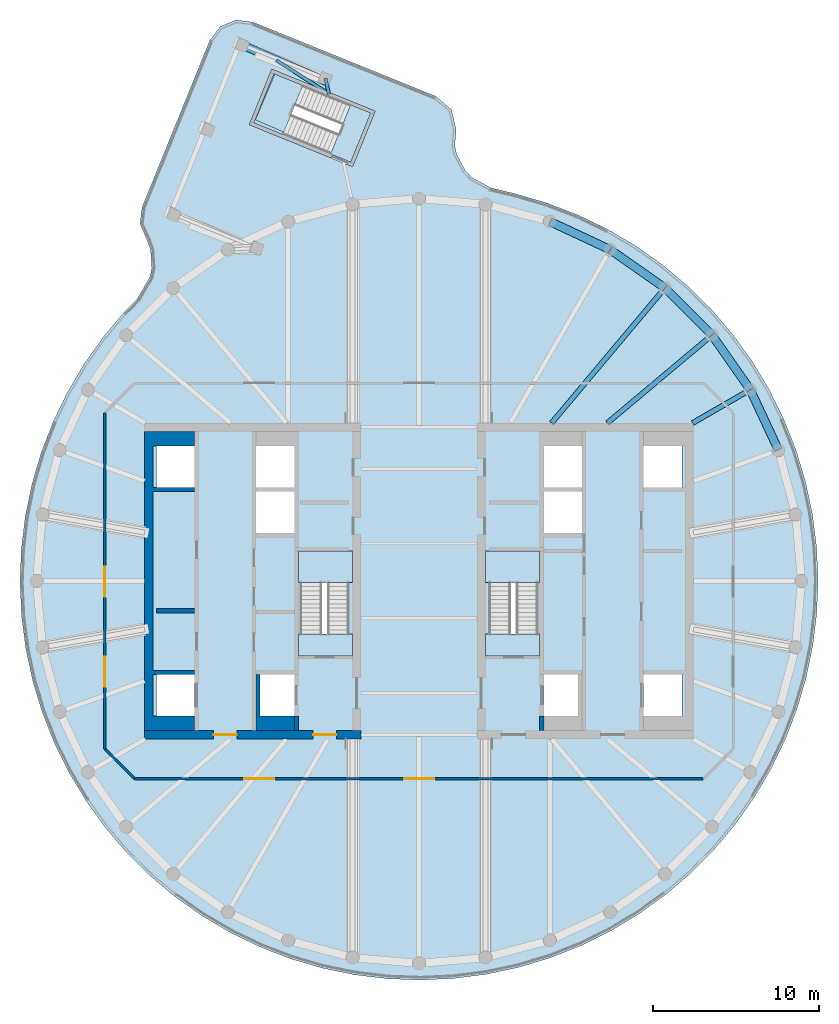
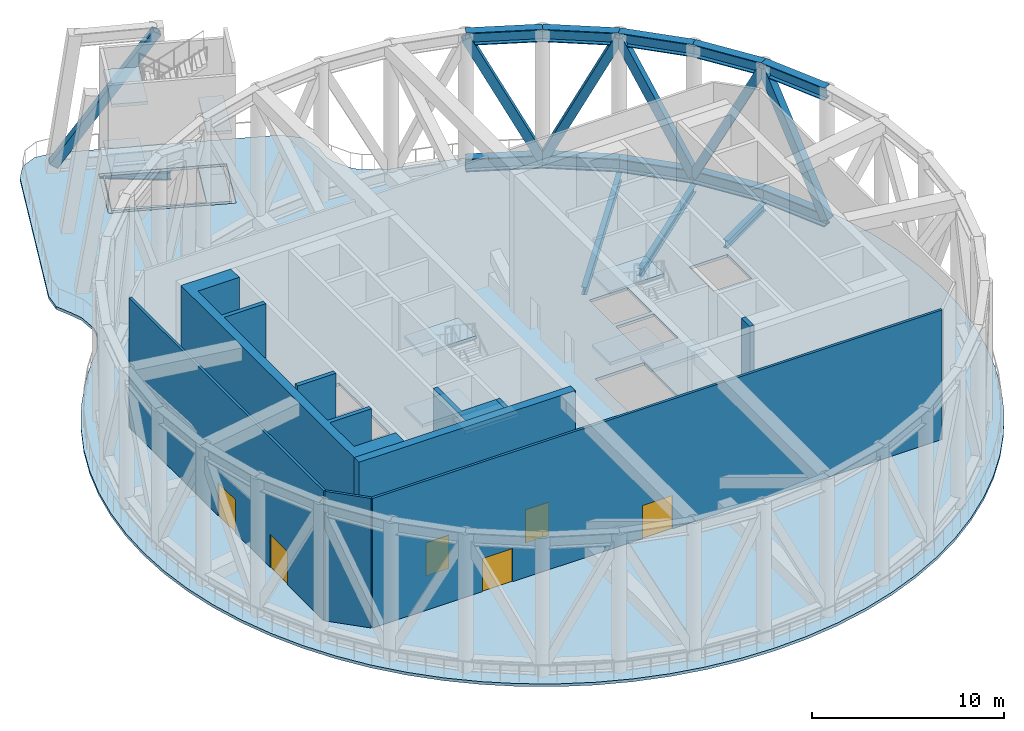
# One storey, part 3 of 10: 16 members, 11 slabs, 9 walls, 6 doors, 5 beams, 6 openings, 3 elements without a shape of their own.
"""IFC4 building model written with IfcOpenShell, lengths in metres."""

from ifc_helpers import new_model, si_unit, direction, frame, frame_2d, origin, origin_2d, place, context, subcontext, project, spatial, polyline, rectangle, hollow_rectangle, i_section, outline, extrude, material, layer, layer_set, material_profile, profile_set, type_object, element, fill, aggregate, save


model = new_model("IFC4")

# Units and contexts
model_context = context("Model", 3, precision=1e-05, world=origin(), true_north=direction((0.0, 1.0)))
body_context = subcontext(model_context, "Body", "Model", "MODEL_VIEW")
ifc_project = project(units=[si_unit("LENGTHUNIT", "METRE"), si_unit("AREAUNIT", "SQUARE_METRE"), si_unit("VOLUMEUNIT", "CUBIC_METRE"), si_unit("PLANEANGLEUNIT", "RADIAN"), si_unit("MASSUNIT", "GRAM", prefix="KILO")], contexts=[model_context])

# Site, building, storey
site_placement = place(None, origin())
site = spatial("IfcSite", under=ifc_project, at=site_placement, CompositionType="ELEMENT")
building_placement = place(site_placement, origin())
building = spatial("IfcBuilding", under=site, at=building_placement, Name="Tamarind Cross Interchange Tower", CompositionType="ELEMENT")
storey_placement = place(building_placement, frame((0.0, 0.0, 278.39990234375)))
storey = spatial("IfcBuildingStorey", under=building, at=storey_placement, Name="L71", CompositionType="ELEMENT", Elevation=278.39990234375)

# Beams
ifc_material_1 = material(Name="Steel Q355B", Category="steel")
ifc_material_profile_1 = material_profile(ifc_material_1, i_section(OverallWidth=0.300048828125, OverallDepth=0.488037109375, WebThickness=0.010986328125, FlangeThickness=0.01806640625, FilletRadius=0.01806640625, at=origin_2d()), Name="HM 488x300x11x18")
ifc_profile_set_1 = profile_set([ifc_material_profile_1], Name="Steel Q355B")
beam_type_1 = type_object("IfcBeamType", Name="Composite beam HM 488x300x11x18 Q355B", PredefinedType="BEAM", material=ifc_profile_set_1)
beam_1_placement = place(storey_placement, frame((19.918701171875, 11.5, -0.423828125), z_axis=(-0.866026010844, -0.49999894854, 0.0), x_axis=(0.49999894854, -0.866026010844, 0.0)))
element("IfcBeam", 1, at=beam_1_placement, inside=storey, type_object=beam_type_1, Name="Beam HH03", PredefinedType="BEAM", context=body_context, shape_type="SweptSolid", body=[
    extrude(i_section(OverallWidth=0.300048828125, OverallDepth=0.488037109375, WebThickness=0.010986328125, FlangeThickness=0.01806640625, FilletRadius=0.01806640625, at=origin_2d()), origin(), (0.0, 0.0, 1.0), 4.0),
])
beam_2_placement = place(storey_placement, frame((17.619140625, 14.7841796875, -0.423828125), z_axis=(-0.766040580814, -0.642792212574, 0.0), x_axis=(0.642792212574, -0.766040580814, 0.0)))
element("IfcBeam", 2, at=beam_2_placement, inside=storey, type_object=beam_type_1, Name="Beam HH04", PredefinedType="BEAM", context=body_context, shape_type="SweptSolid", body=[
    extrude(i_section(OverallWidth=0.300048828125, OverallDepth=0.488037109375, WebThickness=0.010986328125, FlangeThickness=0.01806640625, FilletRadius=0.01806640625, at=origin_2d()), origin(), (0.0, 0.0, 1.0), 8.220703125),
])
beam_3_placement = place(storey_placement, frame((14.7841796875, 17.619140625, -0.423828125), z_axis=(-0.642786293979, -0.766045547127, 0.0), x_axis=(0.766045547127, -0.642786293979, 0.0)))
element("IfcBeam", 3, at=beam_3_placement, inside=storey, type_object=beam_type_1, Name="Beam HH05", PredefinedType="BEAM", context=body_context, shape_type="SweptSolid", body=[
    extrude(i_section(OverallWidth=0.300048828125, OverallDepth=0.488037109375, WebThickness=0.010986328125, FlangeThickness=0.01806640625, FilletRadius=0.01806640625, at=origin_2d()), origin(), (0.0, 0.0, 1.0), 10.598876953125),
])
ifc_material_profile_2 = material_profile(ifc_material_1, i_section(OverallWidth=0.198974609375, OverallDepth=0.49609375, WebThickness=0.009033203125, FlangeThickness=0.013916015625, FilletRadius=0.012939453125, at=origin_2d()), Name="HN 496x199x9x14")
ifc_profile_set_2 = profile_set([ifc_material_profile_2], Name="Steel Q355B")
beam_type_2 = type_object("IfcBeamType", Name="Composite beam HN 496x199x9x14 Q355B", PredefinedType="BEAM", material=ifc_profile_set_2)
beam_4_placement = place(storey_placement, frame((-5.62255859375, 30.21728515625, -0.427978515625), z_axis=(0.210459610113, -0.97760255345, 0.0), x_axis=(0.97760255345, 0.210459610113, 0.0)))
element("IfcBeam", 4, at=beam_4_placement, inside=storey, type_object=beam_type_2, Name="Beam N-linkemt0", PredefinedType="BEAM", context=body_context, shape_type="SweptSolid", body=[
    extrude(i_section(OverallWidth=0.198974609375, OverallDepth=0.49609375, WebThickness=0.009033203125, FlangeThickness=0.013916015625, FilletRadius=0.012939453125, at=origin_2d()), origin(), (0.0, 0.0, 1.0), 0.967529296875),
])
beam_5_placement = place(storey_placement, frame((-5.543212890625, 29.375732421875, -0.427978515625), z_axis=(-0.843401638937, 0.537283608012, 0.0), x_axis=(-0.537283608012, -0.843401638937, 0.0)))
element("IfcBeam", 5, at=beam_5_placement, inside=storey, type_object=beam_type_2, Name="Beam N-tr0s1", PredefinedType="BEAM", context=body_context, shape_type="SweptSolid", body=[
    extrude(i_section(OverallWidth=0.198974609375, OverallDepth=0.49609375, WebThickness=0.009033203125, FlangeThickness=0.013916015625, FilletRadius=0.012939453125, at=origin_2d()), origin(), (0.0, 0.0, 1.0), 3.599365234375),
])

# Members
ifc_material_2 = material(Name="Steel Q420B", Category="steel")
ifc_material_profile_3 = material_profile(ifc_material_2, i_section(OverallWidth=0.5, OverallDepth=0.800048828125, WebThickness=0.030029296875, FlangeThickness=0.050048828125, at=origin_2d()), Name="BH 800x500x30x50")
ifc_profile_set_3 = profile_set([ifc_material_profile_3], Name="Steel Q420B")
member_type_1 = type_object("IfcMemberType", Name="Truss chord BH 800x500x30x50 Q420B", PredefinedType="CHORD", material=ifc_profile_set_3)
for number, where, z_axis, x_axis, name in (
    (6, (21.613037109375, 7.866455078125, 8.400146484375), (-0.422615416827, 0.906309113636, 0.0), (-0.906309113636, -0.422615416827, 0.0), "Belt truss ring top H02"),
    (7, (21.613037109375, 7.866455078125, 0.400146484375), (-0.422615416827, 0.906309113636, 0.0), (-0.906309113636, -0.422615416827, 0.0), "Belt truss ring bottom H02"),
    (8, (19.918701171875, 11.5, 8.400146484375), (-0.573568599011, 0.819157531998, 0.0), (-0.819157531998, -0.573568599011, 0.0), "Belt truss ring top H03"),
    (9, (19.918701171875, 11.5, 0.400146484375), (-0.573568599011, 0.819157531998, 0.0), (-0.819157531998, -0.573568599011, 0.0), "Belt truss ring bottom H03"),
    (10, (17.619140625, 14.7841796875, 8.400146484375), (-0.707106781187, 0.707106781187, 0.0), (-0.707106781187, -0.707106781187, 0.0), "Belt truss ring top H04"),
    (11, (17.619140625, 14.7841796875, 0.400146484375), (-0.707106781187, 0.707106781187, 0.0), (-0.707106781187, -0.707106781187, 0.0), "Belt truss ring bottom H04"),
    (12, (14.7841796875, 17.619140625, 8.400146484375), (-0.819157531998, 0.573568599011, 0.0), (-0.573568599011, -0.819157531998, 0.0), "Belt truss ring top H05"),
    (13, (14.7841796875, 17.619140625, 0.400146484375), (-0.819157531998, 0.573568599011, 0.0), (-0.573568599011, -0.819157531998, 0.0), "Belt truss ring bottom H05"),
    (14, (11.5, 19.918701171875, 8.400146484375), (-0.906309113636, 0.422615416827, 0.0), (-0.422615416827, -0.906309113636, 0.0), "Belt truss ring top H06"),
    (15, (11.5, 19.918701171875, 0.400146484375), (-0.906309113636, 0.422615416827, 0.0), (-0.422615416827, -0.906309113636, 0.0), "Belt truss ring bottom H06"),
):
    element("IfcMember", number, at=place(storey_placement, frame(where, z_axis=z_axis, x_axis=x_axis)), inside=storey, type_object=member_type_1, Name=name, PredefinedType="CHORD", context=body_context, shape_type="SweptSolid", body=[
        extrude(i_section(OverallWidth=0.5, OverallDepth=0.800048828125, WebThickness=0.030029296875, FlangeThickness=0.050048828125, at=origin_2d()), origin(), (0.0, 0.0, 1.0), 4.00927734375),
    ])
ifc_material_profile_4 = material_profile(ifc_material_2, hollow_rectangle(XDim=0.5, YDim=0.5, WallThickness=0.030029296875, at=origin_2d()), Name="BOX 500x500x30")
ifc_profile_set_4 = profile_set([ifc_material_profile_4], Name="Steel Q420B")
member_type_2 = type_object("IfcMemberType", Name="Truss diagonal BOX 500x500x30 Q420B", PredefinedType="BRACE", material=ifc_profile_set_4)
for number, where, z_axis, x_axis, name in (
    (16, (21.613037109375, 7.866455078125, 0.400146484375), (-0.189345647079, 0.406056378311, 0.89401702644), (-0.906309113636, -0.422615416827, 0.0), "Belt truss ring diagonal H02"),
    (17, (19.918701171875, 11.5, 8.400146484375), (-0.25698015632, 0.367013171549, -0.894014838337), (-0.819157531998, -0.573568599011, 0.0), "Belt truss ring diagonal H03"),
    (18, (17.619140625, 14.7841796875, 0.400146484375), (-0.316811762996, 0.316811762996, 0.89401376592), (-0.707106781187, -0.707106781187, 0.0), "Belt truss ring diagonal H04"),
    (19, (14.7841796875, 17.619140625, 8.400146484375), (-0.367013171549, 0.25698015632, -0.894014838337), (-0.573568599011, -0.819157531998, 0.0), "Belt truss ring diagonal H05"),
    (20, (11.5, 19.918701171875, 0.400146484375), (-0.406056378311, 0.189345647079, 0.89401702644), (-0.422615416827, -0.906309113636, 0.0), "Belt truss ring diagonal H06"),
):
    element("IfcMember", number, at=place(storey_placement, frame(where, z_axis=z_axis, x_axis=x_axis)), inside=storey, type_object=member_type_2, Name=name, PredefinedType="BRACE", context=body_context, shape_type="SweptSolid", body=[
        extrude(hollow_rectangle(XDim=0.5, YDim=0.5, WallThickness=0.030029296875, at=origin_2d()), origin(), (0.0, 0.0, 1.0), 8.948486328125),
    ])
member_placement = place(storey_placement, frame((-10.723876953125, 32.271484375, 0.400146484375), z_axis=(0.513592678278, -0.223015331942, 0.82854494298), x_axis=(0.398296740223, 0.917256619888, 0.0)))
element("IfcMember", 21, at=member_placement, inside=storey, type_object=member_type_2, Name="Belt truss arm Nem diagonal", PredefinedType="BRACE", context=body_context, shape_type="SweptSolid", body=[
    extrude(hollow_rectangle(XDim=0.5, YDim=0.5, WallThickness=0.030029296875, at=origin_2d()), origin(), (0.0, 0.0, 1.0), 9.655517578125),
])

# Slabs
ifc_material_3 = material(Name="Concrete C40", Category="concrete")
ifc_layer_1 = layer(ifc_material_3, 0.179931640625)
ifc_layer_set_1 = layer_set([ifc_layer_1], Name="Concrete C40")
slab_type_1 = type_object("IfcSlabType", Name="Composite slab 180 Concrete C40", PredefinedType="FLOOR", material=ifc_layer_set_1)
slab_1_placement = place(storey_placement, frame((0.0, 0.0, -0.179931640625)))
element("IfcSlab", 22, at=slab_1_placement, inside=storey, type_object=slab_type_1, Name="Floor slab L71", PredefinedType="FLOOR", context=body_context, shape_type="SweptSolid", body=[
    extrude(outline(polyline([(1.95458984375, 28.334716796875), (0.997314453125, 29.14990234375), (-9.981201171875, 33.60498046875), (-11.00830078125, 33.732666015625), (-11.9619140625, 33.32958984375), (-12.586181640625, 32.503662109375), (-16.653564453125, 22.481201171875), (-16.784423828125, 21.476806640625), (-16.337158203125, 20.444091796875), (-16.146484375, 19.927734375), (-16.06982421875, 18.818115234375), (-16.1875, 18.280517578125), (-16.9599609375, 16.9521484375), (-17.72412109375, 16.17578125), (-18.99951171875, 14.656982421875), (-20.14501953125, 13.0380859375), (-21.15283203125, 11.329833984375), (-22.01611328125, 9.54443359375), (-22.72900390625, 7.693603515625), (-23.286865234375, 5.79052734375), (-23.685546875, 3.84765625), (-23.92236328125, 1.878662109375), (-23.99560546875, -0.103271484375), (-23.9052734375, -2.08447265625), (-23.651611328125, -4.051513671875), (-23.236083984375, -5.99072265625), (-22.662109375, -7.88916015625), (-21.93310546875, -9.7333984375), (-21.054443359375, -11.511474609375), (-20.031982421875, -13.2109375), (-18.87255859375, -14.820068359375), (-17.584228515625, -16.327880859375), (-16.17578125, -17.72412109375), (-14.656982421875, -18.99951171875), (-13.0380859375, -20.14501953125), (-11.329833984375, -21.15283203125), (-9.54443359375, -22.01611328125), (-7.693603515625, -22.72900390625), (-5.79052734375, -23.286865234375), (-3.84765625, -23.685546875), (-1.878662109375, -23.92236328125), (0.103271484375, -23.99560546875), (2.08447265625, -23.9052734375), (4.051513671875, -23.651611328125), (5.99072265625, -23.236083984375), (7.88916015625, -22.662109375), (9.7333984375, -21.93310546875), (11.511474609375, -21.054443359375), (13.2109375, -20.031982421875), (14.820068359375, -18.87255859375), (16.327880859375, -17.584228515625), (17.72412109375, -16.17578125), (18.99951171875, -14.656982421875), (20.14501953125, -13.0380859375), (21.15283203125, -11.329833984375), (22.01611328125, -9.54443359375), (22.72900390625, -7.693603515625), (23.286865234375, -5.79052734375), (23.685546875, -3.84765625), (23.92236328125, -1.878662109375), (23.99560546875, 0.103271484375), (23.9052734375, 2.08447265625), (23.651611328125, 4.051513671875), (23.236083984375, 5.99072265625), (22.662109375, 7.88916015625), (21.93310546875, 9.7333984375), (21.054443359375, 11.511474609375), (20.031982421875, 13.2109375), (18.87255859375, 14.820068359375), (17.584228515625, 16.327880859375), (16.17578125, 17.72412109375), (14.656982421875, 18.99951171875), (13.0380859375, 20.14501953125), (11.329833984375, 21.15283203125), (9.54443359375, 22.01611328125), (7.693603515625, 22.72900390625), (5.79052734375, 23.286865234375), (4.321533203125, 23.6376953125), (3.192626953125, 24.251953125), (2.796630859375, 24.651611328125), (2.261962890625, 25.655517578125), (2.1513671875, 26.207275390625), (2.236328125, 27.10888671875), (1.95458984375, 28.334716796875)]), holes=[polyline([(-13.5, -5.625), (-13.5, -8.125), (-15.800048828125, -8.125), (-15.800048828125, -5.625), (-13.5, -5.625)]), polyline([(-7.5, -5.625), (-7.5, -8.125), (-9.800048828125, -8.125), (-9.800048828125, -5.625), (-7.5, -5.625)]), polyline([(-7.5, 5.375), (-7.5, 2.875), (-9.800048828125, 2.875), (-9.800048828125, 5.375), (-7.5, 5.375)]), polyline([(-13.5, 8.125), (-13.5, 5.625), (-15.800048828125, 5.625), (-15.800048828125, 8.125), (-13.5, 8.125)]), polyline([(-7.5, 8.125), (-7.5, 5.625), (-9.800048828125, 5.625), (-9.800048828125, 8.125), (-7.5, 8.125)]), polyline([(-3.99658203125, 24.9169921875), (-10.20458984375, 27.436279296875), (-10.12939453125, 27.62158203125), (-8.92626953125, 30.586669921875), (-8.85107421875, 30.772216796875), (-8.586181640625, 30.66455078125), (-8.584228515625, 30.66943359375), (-8.31787109375, 30.5556640625), (-2.642822265625, 28.252685546875), (-2.718017578125, 28.0673828125), (-3.92138671875, 25.102294921875), (-3.99658203125, 24.9169921875)]), polyline([(7.5, -8.125), (7.5, -5.625), (9.800048828125, -5.625), (9.800048828125, -8.125), (7.5, -8.125)]), polyline([(13.5, -8.125), (13.5, -5.625), (15.800048828125, -5.625), (15.800048828125, -8.125), (13.5, -8.125)]), polyline([(-7.14990234375, 1.800048828125), (-4.199951171875, 1.800048828125), (-4.199951171875, -3.18798828125), (-7.14990234375, -3.18798828125), (-7.14990234375, 1.800048828125)]), polyline([(4.199951171875, 1.800048828125), (7.14990234375, 1.800048828125), (7.14990234375, -3.18798828125), (4.199951171875, -3.18798828125), (4.199951171875, 1.800048828125)]), polyline([(7.5, 2.875), (7.5, 5.375), (9.800048828125, 5.375), (9.800048828125, 2.875), (7.5, 2.875)]), polyline([(7.5, 5.625), (7.5, 8.125), (9.800048828125, 8.125), (9.800048828125, 5.625), (7.5, 5.625)]), polyline([(13.5, 8.125), (15.800048828125, 8.125), (15.800048828125, 5.625), (13.5, 5.625), (13.5, 8.125)])]), origin(), (0.0, 0.0, 1.0), 0.179931640625),
])
slab_2_placement = place(storey_placement, frame((0.0, 0.0, -0.179931640625)))
element("IfcSlab", 23, at=slab_2_placement, inside=storey, type_object=slab_type_1, Name="Floor slab L71", PredefinedType="FLOOR", context=body_context, shape_type="SweptSolid", body=[
    extrude(outline(polyline([(-8.740966796875, 30.511474609375), (-9.944091796875, 27.54638671875), (-4.106689453125, 25.177490234375), (-2.9033203125, 28.142578125), (-4.118896484375, 28.635986328125), (-5.27880859375, 25.777587890625), (-9.84130859375, 27.726806640625), (-8.664794921875, 30.480712890625), (-8.740966796875, 30.511474609375)])), origin(), (0.0, 0.0, 1.0), 0.179931640625),
])

# Stair, slabs
ifc_material_4 = material(Name="Exit stair")
stair_type = type_object("IfcStairType", Name="Exit stair", PredefinedType="HALF_TURN_STAIR", material=ifc_material_4)
stair_1_placement = place(storey_placement, origin())
stair_1 = element("IfcStair", 24, at=stair_1_placement, inside=storey, type_object=stair_type, Name="L71 exit stair ST1", PredefinedType="HALF_TURN_STAIR")
ifc_layer_2 = layer(ifc_material_3, 0.199951171875)
ifc_layer_set_2 = layer_set([ifc_layer_2], Name="Concrete C40")
slab_type_2 = type_object("IfcSlabType", Name="Stair landing", PredefinedType="LANDING", material=ifc_layer_set_2)
slab_3_placement = place(storey_placement, frame((0.0, 0.0, 2.050048828125)))
slab_3 = element("IfcSlab", 25, at=slab_3_placement, type_object=slab_type_2, Name="ST1 landing 1", PredefinedType="LANDING", context=body_context, shape_type="SweptSolid", body=[
    extrude(outline(polyline([(-4.0, -0.080078125), (-4.0, 1.800048828125), (-7.25, 1.800048828125), (-7.25, -0.080078125), (-4.0, -0.080078125)])), origin(), (0.0, 0.0, 1.0), 0.199951171875),
])
slab_4_placement = place(storey_placement, frame((0.0, 0.0, 4.300048828125)))
slab_4 = element("IfcSlab", 26, at=slab_4_placement, type_object=slab_type_2, Name="ST1 landing 2", PredefinedType="LANDING", context=body_context, shape_type="SweptSolid", body=[
    extrude(outline(polyline([(-4.0, -4.5), (-4.0, -3.199951171875), (-7.25, -3.199951171875), (-7.25, -4.5), (-4.0, -4.5)])), origin(), (0.0, 0.0, 1.0), 0.199951171875),
])
slab_5_placement = place(storey_placement, frame((0.0, 0.0, 6.550048828125)))
slab_5 = element("IfcSlab", 27, at=slab_5_placement, type_object=slab_type_2, Name="ST1 landing 3", PredefinedType="LANDING", context=body_context, shape_type="SweptSolid", body=[
    extrude(outline(polyline([(-4.0, -0.080078125), (-4.0, 1.800048828125), (-7.25, 1.800048828125), (-7.25, -0.080078125), (-4.0, -0.080078125)])), origin(), (0.0, 0.0, 1.0), 0.199951171875),
])
aggregate(stair_1, [slab_3, slab_4, slab_5])

stair_2_placement = place(storey_placement, origin())
stair_2 = element("IfcStair", 28, at=stair_2_placement, inside=storey, type_object=stair_type, Name="L71 exit stair ST2", PredefinedType="HALF_TURN_STAIR")
slab_6_placement = place(storey_placement, frame((0.0, 0.0, 2.050048828125)))
slab_6 = element("IfcSlab", 29, at=slab_6_placement, type_object=slab_type_2, Name="ST2 landing 1", PredefinedType="LANDING", context=body_context, shape_type="SweptSolid", body=[
    extrude(outline(polyline([(7.25, -0.080078125), (7.25, 1.800048828125), (4.0, 1.800048828125), (4.0, -0.080078125), (7.25, -0.080078125)])), origin(), (0.0, 0.0, 1.0), 0.199951171875),
])
slab_7_placement = place(storey_placement, frame((0.0, 0.0, 4.300048828125)))
slab_7 = element("IfcSlab", 30, at=slab_7_placement, type_object=slab_type_2, Name="ST2 landing 2", PredefinedType="LANDING", context=body_context, shape_type="SweptSolid", body=[
    extrude(outline(polyline([(7.25, -4.5), (7.25, -3.199951171875), (4.0, -3.199951171875), (4.0, -4.5), (7.25, -4.5)])), origin(), (0.0, 0.0, 1.0), 0.199951171875),
])
slab_8_placement = place(storey_placement, frame((0.0, 0.0, 6.550048828125)))
slab_8 = element("IfcSlab", 31, at=slab_8_placement, type_object=slab_type_2, Name="ST2 landing 3", PredefinedType="LANDING", context=body_context, shape_type="SweptSolid", body=[
    extrude(outline(polyline([(7.25, -0.080078125), (7.25, 1.800048828125), (4.0, 1.800048828125), (4.0, -0.080078125), (7.25, -0.080078125)])), origin(), (0.0, 0.0, 1.0), 0.199951171875),
])
aggregate(stair_2, [slab_6, slab_7, slab_8])

stair_3_placement = place(storey_placement, origin())
stair_3 = element("IfcStair", 32, at=stair_3_placement, inside=storey, type_object=stair_type, Name="L71 exit stair ST4", PredefinedType="HALF_TURN_STAIR")
slab_9_placement = place(storey_placement, frame((0.0, 0.0, 2.050048828125)))
slab_9 = element("IfcSlab", 33, at=slab_9_placement, type_object=slab_type_2, Name="ST4 landing 1", PredefinedType="LANDING", context=body_context, shape_type="SweptSolid", body=[
    extrude(outline(polyline([(-6.98779296875, 29.800048828125), (-8.740966796875, 30.511474609375), (-9.9443359375, 27.54638671875), (-8.191162109375, 26.8349609375), (-6.98779296875, 29.800048828125)])), origin(), (0.0, 0.0, 1.0), 0.199951171875),
])
slab_10_placement = place(storey_placement, frame((0.0, 0.0, 4.300048828125)))
slab_10 = element("IfcSlab", 34, at=slab_10_placement, type_object=slab_type_2, Name="ST4 landing 2", PredefinedType="LANDING", context=body_context, shape_type="SweptSolid", body=[
    extrude(outline(polyline([(-2.9033203125, 28.142578125), (-4.118896484375, 28.635986328125), (-5.322265625, 25.670654296875), (-4.106689453125, 25.177490234375), (-2.9033203125, 28.142578125)])), origin(), (0.0, 0.0, 1.0), 0.199951171875),
])
slab_11_placement = place(storey_placement, frame((0.0, 0.0, 6.550048828125)))
slab_11 = element("IfcSlab", 35, at=slab_11_placement, type_object=slab_type_2, Name="ST4 landing 3", PredefinedType="LANDING", context=body_context, shape_type="SweptSolid", body=[
    extrude(outline(polyline([(-6.98779296875, 29.800048828125), (-8.740966796875, 30.511474609375), (-9.9443359375, 27.54638671875), (-8.191162109375, 26.8349609375), (-6.98779296875, 29.800048828125)])), origin(), (0.0, 0.0, 1.0), 0.199951171875),
])
aggregate(stair_3, [slab_9, slab_10, slab_11])

# Wall, openings, doors
ifc_material_5 = material(Name="Concrete C50", Category="concrete")
ifc_layer_3 = layer(ifc_material_5, 0.5)
ifc_layer_set_3 = layer_set([ifc_layer_3], Name="Concrete C50")
wall_type_1 = type_object("IfcWallType", Name="Core wall 500 mm Concrete C50", PredefinedType="SHEAR", material=ifc_layer_set_3)
wall_1_placement = place(storey_placement, frame((-16.5, -9.25, 0.0), z_axis=(0.0, 0.0, 1.0), x_axis=(1.0, 0.0, 0.0)))
wall_1 = element("IfcWall", 36, at=wall_1_placement, inside=storey, type_object=wall_type_1, Name="Core wall CWL-L71-W-S", PredefinedType="SHEAR", context=body_context, shape_type="SweptSolid", body=[
    extrude(rectangle(XDim=13.0, YDim=0.5, at=frame_2d((6.5, 0.0))), origin(), (0.0, 0.0, 1.0), 8.800048828125),
])
opening_1_placement = place(wall_1_placement, frame((4.14990234375, 0.0, 0.0)))
opening_1 = element("IfcOpeningElement", 37, at=opening_1_placement, cuts=wall_1, Name="Opening DCW1", PredefinedType="OPENING", context=body_context, shape_type="SweptSolid", body=[
    extrude(rectangle(XDim=1.39990234375, YDim=2.10009765625, at=frame_2d((0.699951171875, 1.050048828125))), frame((0.0, 0.260009765625, 0.0), z_axis=(0.0, -1.0, 0.0), x_axis=(1.0, 0.0, 0.0)), (0.0, 0.0, 1.0), 0.52001953125),
])
opening_2_placement = place(wall_1_placement, frame((10.125, 0.0, 0.0)))
opening_2 = element("IfcOpeningElement", 38, at=opening_2_placement, cuts=wall_1, Name="Opening DCWF", PredefinedType="OPENING", context=body_context, shape_type="SweptSolid", body=[
    extrude(rectangle(XDim=1.39990234375, YDim=2.10009765625, at=frame_2d((0.699951171875, 1.050048828125))), frame((0.0, 0.260009765625, 0.0), z_axis=(0.0, -1.0, 0.0), x_axis=(1.0, 0.0, 0.0)), (0.0, 0.0, 1.0), 0.52001953125),
])
ifc_material_6 = material(Name="Steel, fire-resisting", Category="steel")
door_type_1 = type_object("IfcDoorType", Name="Core fire door 1400 x 2100 FD90", OperationType="SINGLE_SWING_LEFT", PredefinedType="DOOR", material=ifc_material_6)
door_1_placement = place(opening_1_placement, origin())
door_1 = element("IfcDoor", 39, at=door_1_placement, inside=storey, type_object=door_type_1, Name="L71 lift lobby door", OperationType="SINGLE_SWING_LEFT", OverallHeight=2.10009765625, OverallWidth=1.39990234375, PredefinedType="DOOR", context=body_context, shape_type="SweptSolid", body=[
    extrude(rectangle(XDim=1.39990234375, YDim=2.10009765625, at=frame_2d((0.699951171875, 1.050048828125))), frame((0.0, 0.02490234375, 0.0), z_axis=(0.0, -1.0, 0.0), x_axis=(1.0, 0.0, 0.0)), (0.0, 0.0, 1.0), 0.050048828125),
])
fill(opening_1, door_1)
door_2_placement = place(opening_2_placement, origin())
door_2 = element("IfcDoor", 40, at=door_2_placement, inside=storey, type_object=door_type_1, Name="L71 firefighting lobby end door", OperationType="SINGLE_SWING_LEFT", OverallHeight=2.10009765625, OverallWidth=1.39990234375, PredefinedType="DOOR", context=body_context, shape_type="SweptSolid", body=[
    extrude(rectangle(XDim=1.39990234375, YDim=2.10009765625, at=frame_2d((0.699951171875, 1.050048828125))), frame((0.0, 0.02490234375, 0.0), z_axis=(0.0, -1.0, 0.0), x_axis=(1.0, 0.0, 0.0)), (0.0, 0.0, 1.0), 0.050048828125),
])
fill(opening_2, door_2)

# Walls
wall_2_placement = place(storey_placement, origin())
element("IfcWall", 41, at=wall_2_placement, inside=storey, type_object=wall_type_1, Name="Core wall CWL-L71-W-A", PredefinedType="SHEAR", context=body_context, shape_type="SweptSolid", body=[
    extrude(outline(polyline([(-13.5, -8.125), (-16.0, -8.125), (-16.0, -5.625), (-13.5, -5.625), (-13.5, -5.375), (-16.0, -5.375), (-16.0, 5.375), (-13.5, 5.375), (-13.5, 5.625), (-16.0, 5.625), (-16.0, 8.125), (-13.5, 8.125), (-13.5, 9.0), (-16.0, 9.0), (-16.5, 9.0), (-16.5, -9.0), (-16.0, -9.0), (-13.5, -9.0), (-13.5, -8.125)])), origin(), (0.0, 0.0, 1.0), 8.800048828125),
])
ifc_layer_4 = layer(ifc_material_5, 0.25)
ifc_layer_set_4 = layer_set([ifc_layer_4], Name="Concrete C50")
wall_type_2 = type_object("IfcWallType", Name="Core web wall 250 mm Concrete C50", PredefinedType="SHEAR", material=ifc_layer_set_4)
wall_3_placement = place(storey_placement, origin())
element("IfcWall", 42, at=wall_3_placement, inside=storey, type_object=wall_type_2, Name="Core wall CWL-L71-W-BS", PredefinedType="SHEAR", context=body_context, shape_type="SweptSolid", body=[
    extrude(outline(polyline([(-7.5, -8.125), (-9.550048828125, -8.125), (-9.550048828125, -5.625), (-9.800048828125, -5.625), (-9.800048828125, -8.125), (-9.800048828125, -9.0), (-7.5, -9.0), (-7.5, -8.125)])), origin(), (0.0, 0.0, 1.0), 8.800048828125),
])
for number, where, z_axis, x_axis, name in (
    (43, (-7.375, -9.0, 0.0), (0.0, 0.0, 1.0), (0.0, 1.0, 0.0), "Core wall CWL-L71-W-BW"),
    (44, (7.375, -9.0, 0.0), (0.0, 0.0, 1.0), (0.0, 1.0, 0.0), "Core wall CWL-L71-E-BW"),
):
    element("IfcWall", number, at=place(storey_placement, frame(where, z_axis=z_axis, x_axis=x_axis)), inside=storey, type_object=wall_type_2, Name=name, PredefinedType="SHEAR", context=body_context, shape_type="SweptSolid", body=[
        extrude(rectangle(XDim=0.875, YDim=0.25, at=frame_2d((0.4375, 0.0))), origin(), (0.0, 0.0, 1.0), 8.800048828125),
    ])
ifc_material_7 = material(Name="Gypsum board partition on steel studs", Category="steel")
ifc_layer_5 = layer(ifc_material_7, 0.14990234375)
ifc_layer_set_5 = layer_set([ifc_layer_5], Name="Gypsum board partition on steel studs")
wall_type_3 = type_object("IfcWallType", Name="Partition 150 mm EI 120", PredefinedType="PARTITIONING", material=ifc_layer_set_5)
wall_4_placement = place(storey_placement, frame((-18.87158203125, -10.12841796875, 0.0), z_axis=(0.0, 0.0, 1.0), x_axis=(0.707106781187, -0.707106781187, 0.0)))
element("IfcWall", 45, at=wall_4_placement, inside=storey, type_object=wall_type_3, Name="Partition L71-001", PredefinedType="PARTITIONING", context=body_context, shape_type="SweptSolid", body=[
    extrude(rectangle(XDim=2.465087890625, YDim=0.14990234375, at=frame_2d((1.232421875, 0.0))), origin(), (0.0, 0.0, 1.0), 8.218017578125),
])

# Wall, openings, doors
wall_5_placement = place(storey_placement, frame((-17.10009765625, -11.89990234375, 0.0), z_axis=(0.0, 0.0, 1.0), x_axis=(1.0, 0.0, 0.0)))
wall_5 = element("IfcWall", 46, at=wall_5_placement, inside=storey, type_object=wall_type_3, Name="Partition L71-003", PredefinedType="PARTITIONING", context=body_context, shape_type="SweptSolid", body=[
    extrude(rectangle(XDim=34.1650390625, YDim=0.14990234375, at=frame_2d((17.08251953125, 0.0))), origin(), (0.0, 0.0, 1.0), 8.218017578125),
])
opening_3_placement = place(wall_5_placement, frame((16.199951171875, 0.0, 0.0)))
opening_3 = element("IfcOpeningElement", 47, at=opening_3_placement, cuts=wall_5, Name="Opening D01", PredefinedType="OPENING", context=body_context, shape_type="SweptSolid", body=[
    extrude(rectangle(XDim=1.800048828125, YDim=2.10009765625, at=frame_2d((0.89990234375, 1.050048828125))), frame((0.0, 0.0849609375, 0.0), z_axis=(0.0, -1.0, 0.0), x_axis=(1.0, 0.0, 0.0)), (0.0, 0.0, 1.0), 0.169921875),
])
opening_4_placement = place(wall_5_placement, frame((6.60009765625, 0.0, 0.0)))
opening_4 = element("IfcOpeningElement", 48, at=opening_4_placement, cuts=wall_5, Name="Opening D02", PredefinedType="OPENING", context=body_context, shape_type="SweptSolid", body=[
    extrude(rectangle(XDim=1.800048828125, YDim=2.10009765625, at=frame_2d((0.89990234375, 1.050048828125))), frame((0.0, 0.0849609375, 0.0), z_axis=(0.0, -1.0, 0.0), x_axis=(1.0, 0.0, 0.0)), (0.0, 0.0, 1.0), 0.169921875),
])
ifc_material_8 = material(Name="Fire-resisting door set")
door_type_2 = type_object("IfcDoorType", Name="Interior door 1800 x 2100 FD60S", OperationType="DOUBLE_DOOR_SINGLE_SWING", PredefinedType="DOOR", material=ifc_material_8)
door_3_placement = place(opening_3_placement, origin())
door_3 = element("IfcDoor", 49, at=door_3_placement, inside=storey, type_object=door_type_2, Name="Door D01", OperationType="DOUBLE_DOOR_SINGLE_SWING", OverallHeight=2.10009765625, OverallWidth=1.800048828125, PredefinedType="DOOR", context=body_context, shape_type="SweptSolid", body=[
    extrude(rectangle(XDim=1.800048828125, YDim=2.10009765625, at=frame_2d((0.89990234375, 1.050048828125))), frame((0.0, 0.02490234375, 0.0), z_axis=(0.0, -1.0, 0.0), x_axis=(1.0, 0.0, 0.0)), (0.0, 0.0, 1.0), 0.050048828125),
])
fill(opening_3, door_3)
door_4_placement = place(opening_4_placement, frame((1.800048828125, 0.0, 0.0), z_axis=(0.0, 0.0, 1.0), x_axis=(-1.0, 0.0, 0.0)))
door_4 = element("IfcDoor", 50, at=door_4_placement, inside=storey, type_object=door_type_2, Name="Door D02", OperationType="DOUBLE_DOOR_SINGLE_SWING", OverallHeight=2.10009765625, OverallWidth=1.800048828125, PredefinedType="DOOR", context=body_context, shape_type="SweptSolid", body=[
    extrude(rectangle(XDim=1.800048828125, YDim=2.10009765625, at=frame_2d((0.89990234375, 1.050048828125))), frame((0.0, 0.02490234375, 0.0), z_axis=(0.0, -1.0, 0.0), x_axis=(1.0, 0.0, 0.0)), (0.0, 0.0, 1.0), 0.050048828125),
])
fill(opening_4, door_4)

wall_6_placement = place(storey_placement, frame((-18.89990234375, -10.10009765625, 0.0), z_axis=(0.0, 0.0, 1.0), x_axis=(0.0, 1.0, 0.0)))
wall_6 = element("IfcWall", 51, at=wall_6_placement, inside=storey, type_object=wall_type_3, Name="Partition L71-007", PredefinedType="PARTITIONING", context=body_context, shape_type="SweptSolid", body=[
    extrude(rectangle(XDim=20.2001953125, YDim=0.14990234375, at=frame_2d((10.10009765625, 0.0))), origin(), (0.0, 0.0, 1.0), 8.218017578125),
])
opening_5_placement = place(wall_6_placement, frame((9.14990234375, 0.0, 0.0)))
opening_5 = element("IfcOpeningElement", 52, at=opening_5_placement, cuts=wall_6, Name="Opening D05", PredefinedType="OPENING", context=body_context, shape_type="SweptSolid", body=[
    extrude(rectangle(XDim=1.800048828125, YDim=2.10009765625, at=frame_2d((0.89990234375, 1.050048828125))), frame((0.0, 0.0849609375, 0.0), z_axis=(0.0, -1.0, 0.0), x_axis=(1.0, 0.0, 0.0)), (0.0, 0.0, 1.0), 0.169921875),
])
opening_6_placement = place(wall_6_placement, frame((3.75, 0.0, 0.0)))
opening_6 = element("IfcOpeningElement", 53, at=opening_6_placement, cuts=wall_6, Name="Opening D06", PredefinedType="OPENING", context=body_context, shape_type="SweptSolid", body=[
    extrude(rectangle(XDim=1.800048828125, YDim=2.10009765625, at=frame_2d((0.89990234375, 1.050048828125))), frame((0.0, 0.0849609375, 0.0), z_axis=(0.0, -1.0, 0.0), x_axis=(1.0, 0.0, 0.0)), (0.0, 0.0, 1.0), 0.169921875),
])
door_5_placement = place(opening_5_placement, origin())
door_5 = element("IfcDoor", 54, at=door_5_placement, inside=storey, type_object=door_type_2, Name="Door D05", OperationType="DOUBLE_DOOR_SINGLE_SWING", OverallHeight=2.10009765625, OverallWidth=1.800048828125, PredefinedType="DOOR", context=body_context, shape_type="SweptSolid", body=[
    extrude(rectangle(XDim=1.800048828125, YDim=2.10009765625, at=frame_2d((0.89990234375, 1.050048828125))), frame((0.0, 0.02490234375, 0.0), z_axis=(0.0, -1.0, 0.0), x_axis=(1.0, 0.0, 0.0)), (0.0, 0.0, 1.0), 0.050048828125),
])
fill(opening_5, door_5)
door_6_placement = place(opening_6_placement, origin())
door_6 = element("IfcDoor", 55, at=door_6_placement, inside=storey, type_object=door_type_2, Name="Door D06", OperationType="DOUBLE_DOOR_SINGLE_SWING", OverallHeight=2.10009765625, OverallWidth=1.800048828125, PredefinedType="DOOR", context=body_context, shape_type="SweptSolid", body=[
    extrude(rectangle(XDim=1.800048828125, YDim=2.10009765625, at=frame_2d((0.89990234375, 1.050048828125))), frame((0.0, 0.02490234375, 0.0), z_axis=(0.0, -1.0, 0.0), x_axis=(1.0, 0.0, 0.0)), (0.0, 0.0, 1.0), 0.050048828125),
])
fill(opening_6, door_6)

# Wall
ifc_layer_6 = layer(ifc_material_3, 0.25)
ifc_layer_set_6 = layer_set([ifc_layer_6], Name="Concrete C40")
wall_type_4 = type_object("IfcWallType", Name="Shaft and lobby wall 250 mm Concrete C40", PredefinedType="PARTITIONING", material=ifc_layer_set_6)
wall_7_placement = place(storey_placement, frame((-15.800048828125, -1.7919921875, 0.0), z_axis=(0.0, 0.0, 1.0), x_axis=(1.0, 0.0, 0.0)))
element("IfcWall", 56, at=wall_7_placement, inside=storey, type_object=wall_type_4, Name="Shaft wall CWL-L71-W-FPA1", PredefinedType="PARTITIONING", context=body_context, shape_type="SweptSolid", body=[
    extrude(rectangle(XDim=2.300048828125, YDim=0.25, at=frame_2d((1.14990234375, 0.0))), origin(), (0.0, 0.0, 1.0), 8.800048828125),
])

save(model, "model.ifc")
